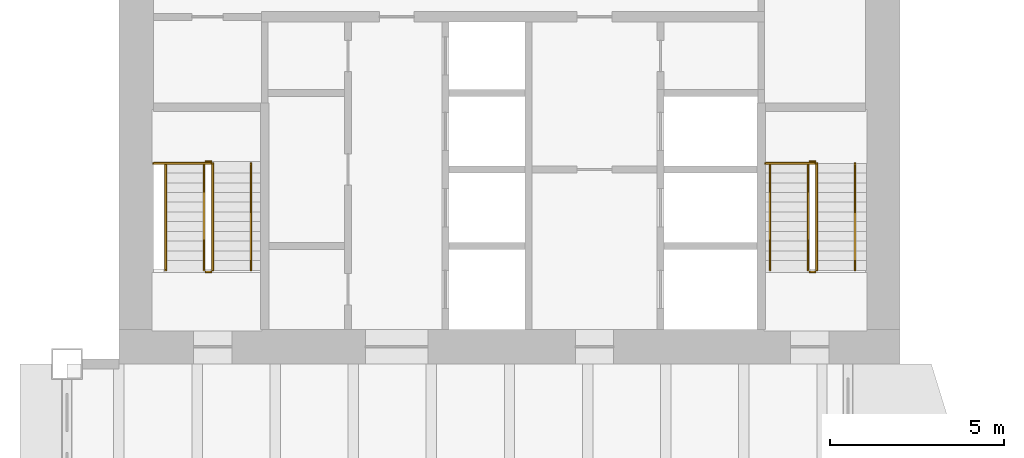
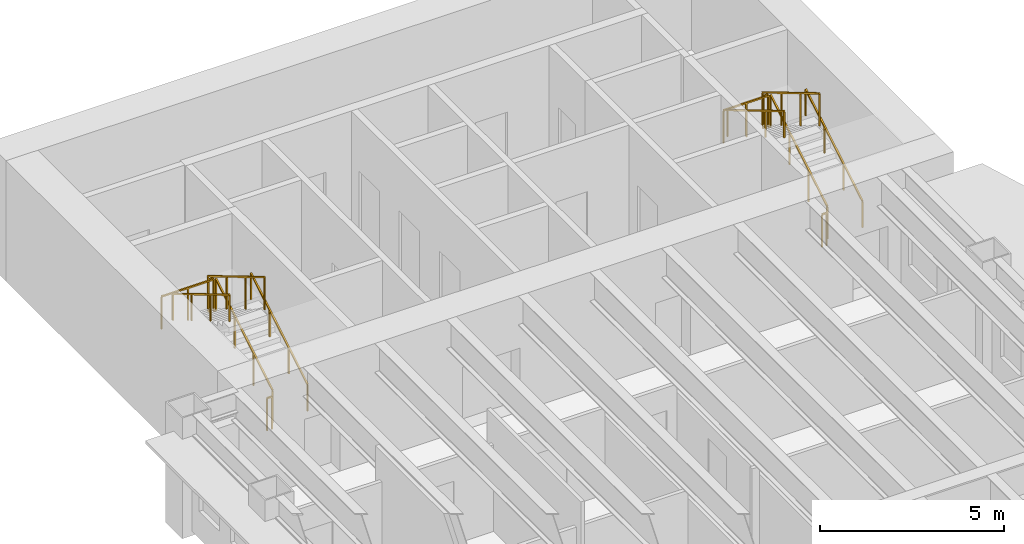
# One storey, part 16 of 16: 14 railings.
"""IFC4 building model written with IfcOpenShell, lengths in metres."""

from ifc_helpers import new_model, si_unit, direction, frame, origin, origin_2d, place, context, subcontext, project, spatial, rectangle, extrude, material, type_object, element, save


model = new_model("IFC4")

# Units and contexts
model_context = context("Model", 3, precision=1e-05, world=origin(), true_north=direction((0.0, 1.0)))
body_context = subcontext(model_context, "Body", "Model", "MODEL_VIEW")
ifc_project = project(units=[si_unit("LENGTHUNIT", "METRE"), si_unit("AREAUNIT", "SQUARE_METRE"), si_unit("VOLUMEUNIT", "CUBIC_METRE"), si_unit("PLANEANGLEUNIT", "RADIAN"), si_unit("MASSUNIT", "GRAM", prefix="KILO")], contexts=[model_context])

# Site, building, storey
site_placement = place(None, origin())
site = spatial("IfcSite", under=ifc_project, at=site_placement, CompositionType="ELEMENT")
building_placement = place(site_placement, origin())
building = spatial("IfcBuilding", under=site, at=building_placement, Name="Sennacour Bend Tower", CompositionType="ELEMENT")
storey_placement = place(building_placement, frame((0.0, 0.0, 163.0)))
storey = spatial("IfcBuildingStorey", under=building, at=storey_placement, Name="L37", CompositionType="ELEMENT", Elevation=163.0)

# Railings
ifc_material = material(Name="Stainless steel", Category="steel")
railing_type_1 = type_object("IfcRailingType", Name="RL-GUARD-1100", PredefinedType="GUARDRAIL", material=ifc_material)
railing_1_placement = place(storey_placement, frame((2.699951171875, 38.699951171875, 0.166748046875)))
element("IfcRailing", 1, at=railing_1_placement, inside=storey, type_object=railing_type_1, Name="L37 SB1 stair guard 1", PredefinedType="GUARDRAIL", context=body_context, shape_type="SweptSolid", body=[
    extrude(rectangle(XDim=0.048095703125, YDim=0.048095703125, at=origin_2d()), frame((0.0, 0.0, 1.076171875), z_axis=(0.0, 0.859308565015, 0.511457515432), x_axis=(-1.0, 0.0, 0.0)), (0.0, 0.0, 1.0), 3.58447265625),
    extrude(rectangle(XDim=0.0419921875, YDim=0.0419921875, at=origin_2d()), origin(), (0.0, 0.0, 1.0), 1.052001953125),
    extrude(rectangle(XDim=0.0419921875, YDim=0.0419921875, at=origin_2d()), frame((0.0, 1.026611328125, 0.611083984375)), (0.0, 0.0, 1.0), 1.052001953125),
    extrude(rectangle(XDim=0.0419921875, YDim=0.0419921875, at=origin_2d()), frame((0.0, 2.053466796875, 1.22216796875)), (0.0, 0.0, 1.0), 1.052001953125),
    extrude(rectangle(XDim=0.0419921875, YDim=0.0419921875, at=origin_2d()), frame((0.0, 3.080078125, 1.833251953125)), (0.0, 0.0, 1.0), 1.052001953125),
])
railing_2_placement = place(storey_placement, frame((2.64990234375, 41.830078125, 2.0)))
element("IfcRailing", 2, at=railing_2_placement, inside=storey, type_object=railing_type_1, Name="L37 SB1 stair guard 2", PredefinedType="GUARDRAIL", context=body_context, shape_type="SweptSolid", body=[
    extrude(rectangle(XDim=0.048095703125, YDim=0.048095703125, at=origin_2d()), frame((0.0, 0.0, 1.076171875), z_axis=(-1.0, 0.0, 0.0), x_axis=(0.0, -1.0, 0.0)), (0.0, 0.0, 1.0), 0.14990234375),
    extrude(rectangle(XDim=0.0419921875, YDim=0.0419921875, at=origin_2d()), origin(), (0.0, 0.0, 1.0), 1.052001953125),
    extrude(rectangle(XDim=0.0419921875, YDim=0.0419921875, at=origin_2d()), frame((-0.14990234375, 0.0, 0.0)), (0.0, 0.0, 1.0), 1.052001953125),
])
railing_3_placement = place(storey_placement, frame((2.449951171875, 41.780029296875, 2.166748046875)))
element("IfcRailing", 3, at=railing_3_placement, inside=storey, type_object=railing_type_1, Name="L37 SB1 stair guard 4", PredefinedType="GUARDRAIL", context=body_context, shape_type="SweptSolid", body=[
    extrude(rectangle(XDim=0.048095703125, YDim=0.048095703125, at=origin_2d()), frame((0.0, 0.0, 1.076171875), z_axis=(0.0, -0.859308565015, 0.511457515432), x_axis=(1.0, 0.0, 0.0)), (0.0, 0.0, 1.0), 3.58447265625),
    extrude(rectangle(XDim=0.0419921875, YDim=0.0419921875, at=origin_2d()), origin(), (0.0, 0.0, 1.0), 1.052001953125),
    extrude(rectangle(XDim=0.0419921875, YDim=0.0419921875, at=origin_2d()), frame((0.0, -1.026611328125, 0.611083984375)), (0.0, 0.0, 1.0), 1.052001953125),
    extrude(rectangle(XDim=0.0419921875, YDim=0.0419921875, at=origin_2d()), frame((0.0, -2.053466796875, 1.22216796875)), (0.0, 0.0, 1.0), 1.052001953125),
    extrude(rectangle(XDim=0.0419921875, YDim=0.0419921875, at=origin_2d()), frame((0.0, -3.080078125, 1.833251953125)), (0.0, 0.0, 1.0), 1.052001953125),
])
railing_4_placement = place(storey_placement, frame((2.64990234375, 38.64990234375, 0.0)))
element("IfcRailing", 4, at=railing_4_placement, inside=storey, type_object=railing_type_1, Name="L37 SB1 stair guard 5", PredefinedType="GUARDRAIL", context=body_context, shape_type="SweptSolid", body=[
    extrude(rectangle(XDim=0.048095703125, YDim=0.048095703125, at=origin_2d()), frame((0.0, 0.0, 1.076171875), z_axis=(-1.0, 0.0, 0.0), x_axis=(0.0, -1.0, 0.0)), (0.0, 0.0, 1.0), 0.14990234375),
    extrude(rectangle(XDim=0.0419921875, YDim=0.0419921875, at=origin_2d()), origin(), (0.0, 0.0, 1.0), 1.052001953125),
    extrude(rectangle(XDim=0.0419921875, YDim=0.0419921875, at=origin_2d()), frame((-0.14990234375, 0.0, 0.0)), (0.0, 0.0, 1.0), 1.052001953125),
])
railing_5_placement = place(storey_placement, frame((2.64990234375, 41.780029296875, 2.0)))
element("IfcRailing", 5, at=railing_5_placement, inside=storey, type_object=railing_type_1, Name="L37 SB1 landing edge guard 62", PredefinedType="GUARDRAIL", context=body_context, shape_type="SweptSolid", body=[
    extrude(rectangle(XDim=0.048095703125, YDim=0.048095703125, at=origin_2d()), frame((0.0, 0.0, 1.076171875), z_axis=(-1.0, 0.0, 0.0), x_axis=(0.0, -1.0, 0.0)), (0.0, 0.0, 1.0), 1.64990234375),
    extrude(rectangle(XDim=0.0419921875, YDim=0.0419921875, at=origin_2d()), origin(), (0.0, 0.0, 1.0), 1.052001953125),
    extrude(rectangle(XDim=0.0419921875, YDim=0.0419921875, at=origin_2d()), frame((-0.824951171875, 0.0, 0.0)), (0.0, 0.0, 1.0), 1.052001953125),
    extrude(rectangle(XDim=0.0419921875, YDim=0.0419921875, at=origin_2d()), frame((-1.64990234375, 0.0, 0.0)), (0.0, 0.0, 1.0), 1.052001953125),
])
railing_6_placement = place(storey_placement, frame((20.10009765625, 38.699951171875, 0.166748046875)))
element("IfcRailing", 6, at=railing_6_placement, inside=storey, type_object=railing_type_1, Name="L37 SB2 stair guard 1", PredefinedType="GUARDRAIL", context=body_context, shape_type="SweptSolid", body=[
    extrude(rectangle(XDim=0.048095703125, YDim=0.048095703125, at=origin_2d()), frame((0.0, 0.0, 1.076171875), z_axis=(0.0, 0.859308565015, 0.511457515432), x_axis=(-1.0, 0.0, 0.0)), (0.0, 0.0, 1.0), 3.58447265625),
    extrude(rectangle(XDim=0.0419921875, YDim=0.0419921875, at=origin_2d()), origin(), (0.0, 0.0, 1.0), 1.052001953125),
    extrude(rectangle(XDim=0.0419921875, YDim=0.0419921875, at=origin_2d()), frame((0.0, 1.026611328125, 0.611083984375)), (0.0, 0.0, 1.0), 1.052001953125),
    extrude(rectangle(XDim=0.0419921875, YDim=0.0419921875, at=origin_2d()), frame((0.0, 2.053466796875, 1.22216796875)), (0.0, 0.0, 1.0), 1.052001953125),
    extrude(rectangle(XDim=0.0419921875, YDim=0.0419921875, at=origin_2d()), frame((0.0, 3.080078125, 1.833251953125)), (0.0, 0.0, 1.0), 1.052001953125),
])
railing_7_placement = place(storey_placement, frame((20.050048828125, 41.830078125, 2.0)))
element("IfcRailing", 7, at=railing_7_placement, inside=storey, type_object=railing_type_1, Name="L37 SB2 stair guard 2", PredefinedType="GUARDRAIL", context=body_context, shape_type="SweptSolid", body=[
    extrude(rectangle(XDim=0.048095703125, YDim=0.048095703125, at=origin_2d()), frame((0.0, 0.0, 1.076171875), z_axis=(-1.0, 0.0, 0.0), x_axis=(0.0, -1.0, 0.0)), (0.0, 0.0, 1.0), 0.150146484375),
    extrude(rectangle(XDim=0.0419921875, YDim=0.0419921875, at=origin_2d()), origin(), (0.0, 0.0, 1.0), 1.052001953125),
    extrude(rectangle(XDim=0.0419921875, YDim=0.0419921875, at=origin_2d()), frame((-0.150146484375, 0.0, 0.0)), (0.0, 0.0, 1.0), 1.052001953125),
])
railing_8_placement = place(storey_placement, frame((19.85009765625, 41.780029296875, 2.166748046875)))
element("IfcRailing", 8, at=railing_8_placement, inside=storey, type_object=railing_type_1, Name="L37 SB2 stair guard 4", PredefinedType="GUARDRAIL", context=body_context, shape_type="SweptSolid", body=[
    extrude(rectangle(XDim=0.048095703125, YDim=0.048095703125, at=origin_2d()), frame((0.0, 0.0, 1.076171875), z_axis=(0.0, -0.859308565015, 0.511457515432), x_axis=(1.0, 0.0, 0.0)), (0.0, 0.0, 1.0), 3.58447265625),
    extrude(rectangle(XDim=0.0419921875, YDim=0.0419921875, at=origin_2d()), origin(), (0.0, 0.0, 1.0), 1.052001953125),
    extrude(rectangle(XDim=0.0419921875, YDim=0.0419921875, at=origin_2d()), frame((0.0, -1.026611328125, 0.611083984375)), (0.0, 0.0, 1.0), 1.052001953125),
    extrude(rectangle(XDim=0.0419921875, YDim=0.0419921875, at=origin_2d()), frame((0.0, -2.053466796875, 1.22216796875)), (0.0, 0.0, 1.0), 1.052001953125),
    extrude(rectangle(XDim=0.0419921875, YDim=0.0419921875, at=origin_2d()), frame((0.0, -3.080078125, 1.833251953125)), (0.0, 0.0, 1.0), 1.052001953125),
])
railing_9_placement = place(storey_placement, frame((20.050048828125, 38.64990234375, 0.0)))
element("IfcRailing", 9, at=railing_9_placement, inside=storey, type_object=railing_type_1, Name="L37 SB2 stair guard 5", PredefinedType="GUARDRAIL", context=body_context, shape_type="SweptSolid", body=[
    extrude(rectangle(XDim=0.048095703125, YDim=0.048095703125, at=origin_2d()), frame((0.0, 0.0, 1.076171875), z_axis=(-1.0, 0.0, 0.0), x_axis=(0.0, -1.0, 0.0)), (0.0, 0.0, 1.0), 0.150146484375),
    extrude(rectangle(XDim=0.0419921875, YDim=0.0419921875, at=origin_2d()), origin(), (0.0, 0.0, 1.0), 1.052001953125),
    extrude(rectangle(XDim=0.0419921875, YDim=0.0419921875, at=origin_2d()), frame((-0.150146484375, 0.0, 0.0)), (0.0, 0.0, 1.0), 1.052001953125),
])
railing_10_placement = place(storey_placement, frame((20.050048828125, 41.780029296875, 2.0)))
element("IfcRailing", 10, at=railing_10_placement, inside=storey, type_object=railing_type_1, Name="L37 SB2 landing edge guard 52", PredefinedType="GUARDRAIL", context=body_context, shape_type="SweptSolid", body=[
    extrude(rectangle(XDim=0.048095703125, YDim=0.048095703125, at=origin_2d()), frame((0.0, 0.0, 1.076171875), z_axis=(-1.0, 0.0, 0.0), x_axis=(0.0, -1.0, 0.0)), (0.0, 0.0, 1.0), 1.425048828125),
    extrude(rectangle(XDim=0.0419921875, YDim=0.0419921875, at=origin_2d()), origin(), (0.0, 0.0, 1.0), 1.052001953125),
    extrude(rectangle(XDim=0.0419921875, YDim=0.0419921875, at=origin_2d()), frame((-0.71240234375, 0.0, 0.0)), (0.0, 0.0, 1.0), 1.052001953125),
    extrude(rectangle(XDim=0.0419921875, YDim=0.0419921875, at=origin_2d()), frame((-1.425048828125, 0.0, 0.0)), (0.0, 0.0, 1.0), 1.052001953125),
])
railing_type_2 = type_object("IfcRailingType", Name="RL-HANDRAIL-900", PredefinedType="HANDRAIL", material=ifc_material)
railing_11_placement = place(storey_placement, frame((3.800048828125, 38.699951171875, 0.166748046875)))
element("IfcRailing", 11, at=railing_11_placement, inside=storey, type_object=railing_type_2, Name="L37 SB1 stair handrail 1", PredefinedType="HANDRAIL", context=body_context, shape_type="SweptSolid", body=[
    extrude(rectangle(XDim=0.048095703125, YDim=0.048095703125, at=origin_2d()), frame((0.0, 0.0, 0.8759765625), z_axis=(0.0, 0.859308565015, 0.511457515432), x_axis=(-1.0, 0.0, 0.0)), (0.0, 0.0, 1.0), 3.58447265625),
    extrude(rectangle(XDim=0.0419921875, YDim=0.0419921875, at=origin_2d()), origin(), (0.0, 0.0, 1.0), 0.851806640625),
    extrude(rectangle(XDim=0.0419921875, YDim=0.0419921875, at=origin_2d()), frame((0.0, 1.026611328125, 0.611083984375)), (0.0, 0.0, 1.0), 0.851806640625),
    extrude(rectangle(XDim=0.0419921875, YDim=0.0419921875, at=origin_2d()), frame((0.0, 2.053466796875, 1.22216796875)), (0.0, 0.0, 1.0), 0.851806640625),
    extrude(rectangle(XDim=0.0419921875, YDim=0.0419921875, at=origin_2d()), frame((0.0, 3.080078125, 1.833251953125)), (0.0, 0.0, 1.0), 0.851806640625),
])
railing_12_placement = place(storey_placement, frame((1.35009765625, 41.780029296875, 2.166748046875)))
element("IfcRailing", 12, at=railing_12_placement, inside=storey, type_object=railing_type_2, Name="L37 SB1 stair handrail 2", PredefinedType="HANDRAIL", context=body_context, shape_type="SweptSolid", body=[
    extrude(rectangle(XDim=0.048095703125, YDim=0.048095703125, at=origin_2d()), frame((0.0, 0.0, 0.8759765625), z_axis=(0.0, -0.859308565015, 0.511457515432), x_axis=(1.0, 0.0, 0.0)), (0.0, 0.0, 1.0), 3.58447265625),
    extrude(rectangle(XDim=0.0419921875, YDim=0.0419921875, at=origin_2d()), origin(), (0.0, 0.0, 1.0), 0.851806640625),
    extrude(rectangle(XDim=0.0419921875, YDim=0.0419921875, at=origin_2d()), frame((0.0, -1.026611328125, 0.611083984375)), (0.0, 0.0, 1.0), 0.851806640625),
    extrude(rectangle(XDim=0.0419921875, YDim=0.0419921875, at=origin_2d()), frame((0.0, -2.053466796875, 1.22216796875)), (0.0, 0.0, 1.0), 0.851806640625),
    extrude(rectangle(XDim=0.0419921875, YDim=0.0419921875, at=origin_2d()), frame((0.0, -3.080078125, 1.833251953125)), (0.0, 0.0, 1.0), 0.851806640625),
])
railing_13_placement = place(storey_placement, frame((21.199951171875, 38.699951171875, 0.166748046875)))
element("IfcRailing", 13, at=railing_13_placement, inside=storey, type_object=railing_type_2, Name="L37 SB2 stair handrail 1", PredefinedType="HANDRAIL", context=body_context, shape_type="SweptSolid", body=[
    extrude(rectangle(XDim=0.048095703125, YDim=0.048095703125, at=origin_2d()), frame((0.0, 0.0, 0.8759765625), z_axis=(0.0, 0.859308565015, 0.511457515432), x_axis=(-1.0, 0.0, 0.0)), (0.0, 0.0, 1.0), 3.58447265625),
    extrude(rectangle(XDim=0.0419921875, YDim=0.0419921875, at=origin_2d()), origin(), (0.0, 0.0, 1.0), 0.851806640625),
    extrude(rectangle(XDim=0.0419921875, YDim=0.0419921875, at=origin_2d()), frame((0.0, 1.026611328125, 0.611083984375)), (0.0, 0.0, 1.0), 0.851806640625),
    extrude(rectangle(XDim=0.0419921875, YDim=0.0419921875, at=origin_2d()), frame((0.0, 2.053466796875, 1.22216796875)), (0.0, 0.0, 1.0), 0.851806640625),
    extrude(rectangle(XDim=0.0419921875, YDim=0.0419921875, at=origin_2d()), frame((0.0, 3.080078125, 1.833251953125)), (0.0, 0.0, 1.0), 0.851806640625),
])
railing_14_placement = place(storey_placement, frame((18.75, 41.780029296875, 2.166748046875)))
element("IfcRailing", 14, at=railing_14_placement, inside=storey, type_object=railing_type_2, Name="L37 SB2 stair handrail 2", PredefinedType="HANDRAIL", context=body_context, shape_type="SweptSolid", body=[
    extrude(rectangle(XDim=0.048095703125, YDim=0.048095703125, at=origin_2d()), frame((0.0, 0.0, 0.8759765625), z_axis=(0.0, -0.859308565015, 0.511457515432), x_axis=(1.0, 0.0, 0.0)), (0.0, 0.0, 1.0), 3.58447265625),
    extrude(rectangle(XDim=0.0419921875, YDim=0.0419921875, at=origin_2d()), origin(), (0.0, 0.0, 1.0), 0.851806640625),
    extrude(rectangle(XDim=0.0419921875, YDim=0.0419921875, at=origin_2d()), frame((0.0, -1.026611328125, 0.611083984375)), (0.0, 0.0, 1.0), 0.851806640625),
    extrude(rectangle(XDim=0.0419921875, YDim=0.0419921875, at=origin_2d()), frame((0.0, -2.053466796875, 1.22216796875)), (0.0, 0.0, 1.0), 0.851806640625),
    extrude(rectangle(XDim=0.0419921875, YDim=0.0419921875, at=origin_2d()), frame((0.0, -3.080078125, 1.833251953125)), (0.0, 0.0, 1.0), 0.851806640625),
])

save(model, "model.ifc")
